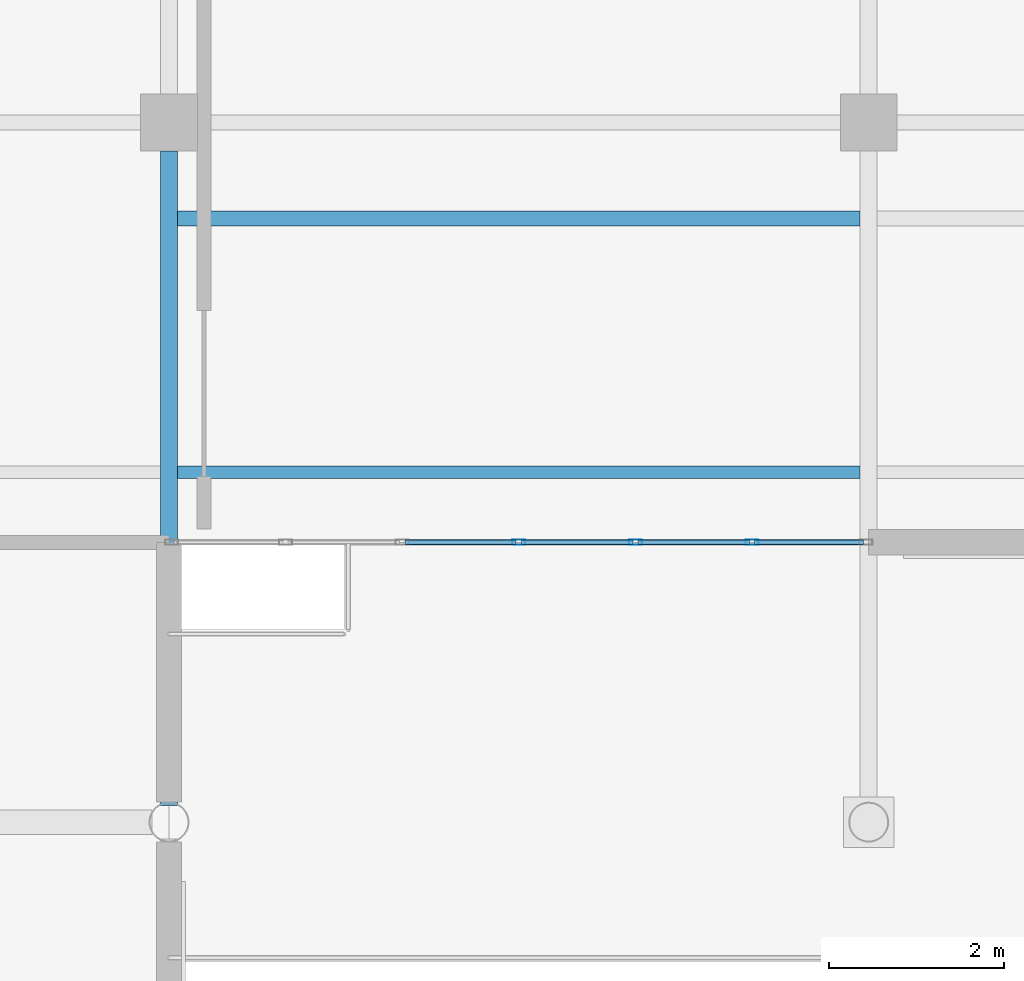
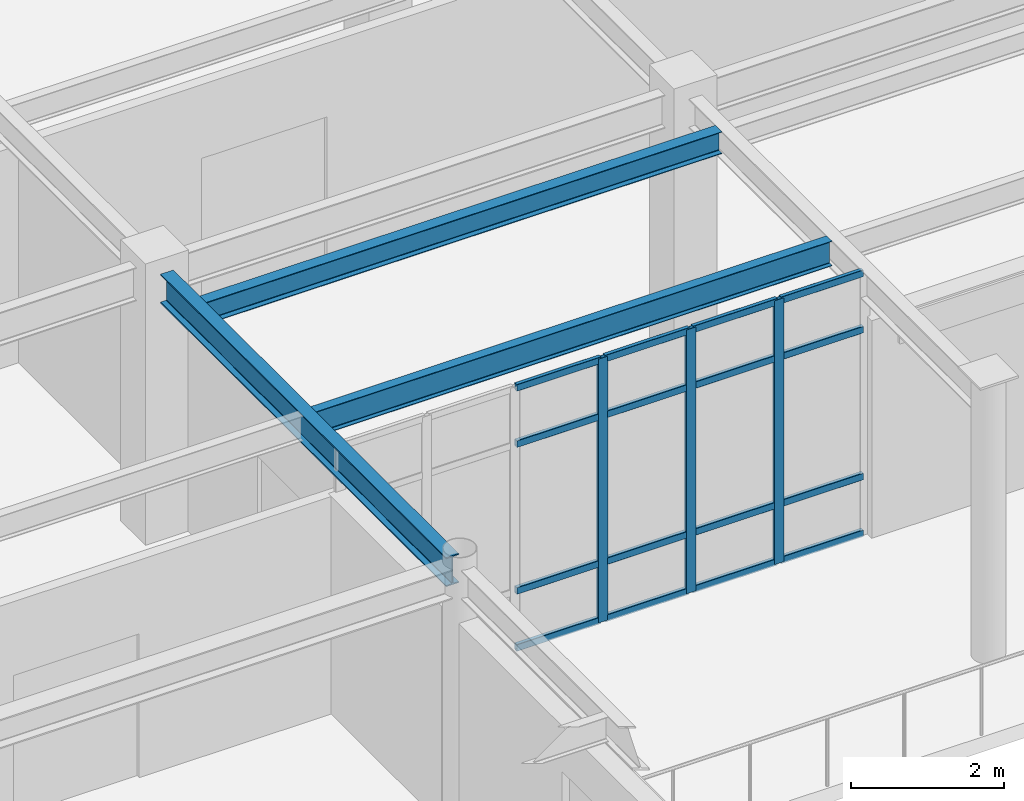
# One storey, part 43 of 75: 19 members, 3 beams, 1 element without a shape of its own.
"""IFC4 building model written with IfcOpenShell, lengths in metres."""

from ifc_helpers import new_model, si_unit, direction, frame, origin, origin_2d, place, context, subcontext, project, spatial, hollow_rectangle, i_section, extrude, material, material_profile, profile_set, type_object, element, aggregate, save


model = new_model("IFC4")

# Units and contexts
model_context = context("Model", 3, precision=1e-05, world=origin(), true_north=direction((0.0, 1.0)))
body_context = subcontext(model_context, "Body", "Model", "MODEL_VIEW")
ifc_project = project(units=[si_unit("LENGTHUNIT", "METRE"), si_unit("AREAUNIT", "SQUARE_METRE"), si_unit("VOLUMEUNIT", "CUBIC_METRE"), si_unit("PLANEANGLEUNIT", "RADIAN"), si_unit("MASSUNIT", "GRAM", prefix="KILO")], contexts=[model_context])

# Site, building, storey
site_placement = place(None, origin())
site = spatial("IfcSite", under=ifc_project, at=site_placement, CompositionType="ELEMENT")
building_placement = place(site_placement, origin())
building = spatial("IfcBuilding", under=site, at=building_placement, Name="Solmirada Galleria", CompositionType="ELEMENT")
storey_placement = place(building_placement, frame((0.0, 0.0, 19.39990234375)))
storey = spatial("IfcBuildingStorey", under=building, at=storey_placement, Name="L04", CompositionType="ELEMENT", Elevation=19.39990234375)

# Beams
ifc_material_1 = material(Name="Steel S355 / ASTM A992 Grade 50", Category="steel")
ifc_material_profile_1 = material_profile(ifc_material_1, i_section(OverallWidth=0.193115234375, OverallDepth=0.466064453125, WebThickness=0.011474609375, FlangeThickness=0.01904296875, FilletRadius=0.013916015625, at=origin_2d()), Name="W18X65")
ifc_profile_set_1 = profile_set([ifc_material_profile_1], Name="Steel S355 / ASTM A992 Grade 50")
beam_type_1 = type_object("IfcBeamType", Name="BM-GIRD-W18C", PredefinedType="BEAM", material=ifc_profile_set_1)
beam_1_placement = place(storey_placement, frame((96.0, 88.19189453125, 4.027099609375), z_axis=(0.0, 1.0, 0.0), x_axis=(-1.0, 0.0, 0.0)))
element("IfcBeam", 1, at=beam_1_placement, inside=storey, type_object=beam_type_1, Name="Primary girder L05 Y(96, 88..96)", PredefinedType="BEAM", context=body_context, shape_type="SweptSolid", body=[
    extrude(i_section(OverallWidth=0.193115234375, OverallDepth=0.466064453125, WebThickness=0.011474609375, FlangeThickness=0.01904296875, FilletRadius=0.013916015625, at=origin_2d()), origin(), (0.0, 0.0, 1.0), 7.483154296875),
])
ifc_material_profile_2 = material_profile(ifc_material_1, i_section(OverallWidth=0.1708984375, OverallDepth=0.35205078125, WebThickness=0.0068359375, FlangeThickness=0.009765625, FilletRadius=0.010986328125, at=origin_2d()), Name="W14X30")
ifc_profile_set_2 = profile_set([ifc_material_profile_2], Name="Steel S355 / ASTM A992 Grade 50")
beam_type_2 = type_object("IfcBeamType", Name="BM-JST-W14B", PredefinedType="JOIST", material=ifc_profile_set_2)
beam_2_placement = place(storey_placement, frame((96.096435546875, 94.89990234375, 4.083984375), z_axis=(1.0, 0.0, 0.0), x_axis=(0.0, 1.0, 0.0)))
element("IfcBeam", 2, at=beam_2_placement, inside=storey, type_object=beam_type_2, Name="Terrace deck joist L05-TERR-NE X=96..104 (2)", PredefinedType="JOIST", context=body_context, shape_type="SweptSolid", body=[
    extrude(i_section(OverallWidth=0.1708984375, OverallDepth=0.35205078125, WebThickness=0.0068359375, FlangeThickness=0.009765625, FilletRadius=0.010986328125, at=origin_2d()), origin(), (0.0, 0.0, 1.0), 7.80712890625),
])
ifc_material_profile_3 = material_profile(ifc_material_1, i_section(OverallWidth=0.139892578125, OverallDepth=0.39892578125, WebThickness=0.00634765625, FlangeThickness=0.0087890625, FilletRadius=0.010986328125, at=origin_2d()), Name="W16X26")
ifc_profile_set_3 = profile_set([ifc_material_profile_3], Name="Steel S355 / ASTM A992 Grade 50")
beam_type_3 = type_object("IfcBeamType", Name="BM-JST-W16C", PredefinedType="JOIST", material=ifc_profile_set_3)
beam_3_placement = place(storey_placement, frame((96.096435546875, 92.0, 4.060546875), z_axis=(1.0, 0.0, 0.0), x_axis=(0.0, 1.0, 0.0)))
element("IfcBeam", 3, at=beam_3_placement, inside=storey, type_object=beam_type_3, Name="Composite floor joist L05 (96..104, 92.0)", PredefinedType="JOIST", context=body_context, shape_type="SweptSolid", body=[
    extrude(i_section(OverallWidth=0.139892578125, OverallDepth=0.39892578125, WebThickness=0.00634765625, FlangeThickness=0.0087890625, FilletRadius=0.010986328125, at=origin_2d()), origin(), (0.0, 0.0, 1.0), 7.80712890625),
])

# Curtain wall, members
ifc_material_2 = material(Name="Impact-resistant low-E double glazing", Category="glass")
curtain_wall_type = type_object("IfcCurtainWallType", Name="CW-FZ4-L04-B6-L080", PredefinedType="NOTDEFINED", material=ifc_material_2)
curtain_wall_placement = place(storey_placement, origin())
curtain_wall = element("IfcCurtainWall", 4, at=curtain_wall_placement, inside=storey, type_object=curtain_wall_type, Name="Terrace and arcade storefront CW-L04-151", PredefinedType="NOTDEFINED")
ifc_material_3 = material(Name="Anodised aluminium framing", Category="aluminium")
ifc_material_profile_4 = material_profile(ifc_material_3, hollow_rectangle(XDim=0.06005859375, YDim=0.14990234375, WallThickness=0.00341796875, InnerFilletRadius=0.00341796875, OuterFilletRadius=0.007080078125, at=origin_2d()), Name="ALU-MULL-150X60")
ifc_profile_set_4 = profile_set([ifc_material_profile_4], Name="Anodised aluminium framing")
member_type_1 = type_object("IfcMemberType", Name="CW-MULL-150", PredefinedType="MULLION", material=ifc_profile_set_4)
member_1_placement = place(storey_placement, frame((102.666748046875, 91.199951171875, 0.0), z_axis=(0.0, 0.0, 1.0), x_axis=(0.0, -1.0, 0.0)))
member_1 = element("IfcMember", 5, at=member_1_placement, type_object=member_type_1, Name="CW31 mullion 2", PredefinedType="MULLION", context=body_context, shape_type="SweptSolid", body=[
    extrude(hollow_rectangle(XDim=0.06005859375, YDim=0.14990234375, WallThickness=0.00341796875, InnerFilletRadius=0.00341796875, OuterFilletRadius=0.007080078125, at=origin_2d()), origin(), (0.0, 0.0, 1.0), 4.22021484375),
])
member_2_placement = place(storey_placement, frame((101.333251953125, 91.199951171875, 0.0), z_axis=(0.0, 0.0, 1.0), x_axis=(0.0, -1.0, 0.0)))
member_2 = element("IfcMember", 6, at=member_2_placement, type_object=member_type_1, Name="CW31 mullion 3", PredefinedType="MULLION", context=body_context, shape_type="SweptSolid", body=[
    extrude(hollow_rectangle(XDim=0.06005859375, YDim=0.14990234375, WallThickness=0.00341796875, InnerFilletRadius=0.00341796875, OuterFilletRadius=0.007080078125, at=origin_2d()), origin(), (0.0, 0.0, 1.0), 4.22021484375),
])
member_3_placement = place(storey_placement, frame((100.0, 91.199951171875, 0.0), z_axis=(0.0, 0.0, 1.0), x_axis=(0.0, -1.0, 0.0)))
member_3 = element("IfcMember", 7, at=member_3_placement, type_object=member_type_1, Name="CW31 mullion 4", PredefinedType="MULLION", context=body_context, shape_type="SweptSolid", body=[
    extrude(hollow_rectangle(XDim=0.06005859375, YDim=0.14990234375, WallThickness=0.00341796875, InnerFilletRadius=0.00341796875, OuterFilletRadius=0.007080078125, at=origin_2d()), origin(), (0.0, 0.0, 1.0), 4.22021484375),
])
ifc_material_profile_5 = material_profile(ifc_material_3, hollow_rectangle(XDim=0.06005859375, YDim=0.110107421875, WallThickness=0.003173828125, InnerFilletRadius=0.003173828125, OuterFilletRadius=0.00634765625, at=origin_2d()), Name="ALU-TRAN-110X60")
ifc_profile_set_5 = profile_set([ifc_material_profile_5], Name="Anodised aluminium framing")
member_type_2 = type_object("IfcMemberType", Name="CW-TRAN-110", PredefinedType="USERDEFINED", material=ifc_profile_set_5)
member_4_placement = place(storey_placement, frame((103.93994140625, 91.199951171875, 0.030029296875), z_axis=(-1.0, 0.0, 0.0), x_axis=(0.0, -1.0, 0.0)))
member_4 = element("IfcMember", 8, at=member_4_placement, type_object=member_type_2, Name="CW31 transom 1.1", ObjectType="TRANSOM", PredefinedType="USERDEFINED", context=body_context, shape_type="SweptSolid", body=[
    extrude(hollow_rectangle(XDim=0.06005859375, YDim=0.110107421875, WallThickness=0.003173828125, InnerFilletRadius=0.003173828125, OuterFilletRadius=0.00634765625, at=origin_2d()), origin(), (0.0, 0.0, 1.0), 1.2431640625),
])
member_5_placement = place(storey_placement, frame((103.93994140625, 91.199951171875, 0.940185546875), z_axis=(-1.0, 0.0, 0.0), x_axis=(0.0, -1.0, 0.0)))
member_5 = element("IfcMember", 9, at=member_5_placement, type_object=member_type_2, Name="CW31 transom 1.2", ObjectType="TRANSOM", PredefinedType="USERDEFINED", context=body_context, shape_type="SweptSolid", body=[
    extrude(hollow_rectangle(XDim=0.06005859375, YDim=0.110107421875, WallThickness=0.003173828125, InnerFilletRadius=0.003173828125, OuterFilletRadius=0.00634765625, at=origin_2d()), origin(), (0.0, 0.0, 1.0), 1.2431640625),
])
member_6_placement = place(storey_placement, frame((103.93994140625, 91.199951171875, 3.2900390625), z_axis=(-1.0, 0.0, 0.0), x_axis=(0.0, -1.0, 0.0)))
member_6 = element("IfcMember", 10, at=member_6_placement, type_object=member_type_2, Name="CW31 transom 1.3", ObjectType="TRANSOM", PredefinedType="USERDEFINED", context=body_context, shape_type="SweptSolid", body=[
    extrude(hollow_rectangle(XDim=0.06005859375, YDim=0.110107421875, WallThickness=0.003173828125, InnerFilletRadius=0.003173828125, OuterFilletRadius=0.00634765625, at=origin_2d()), origin(), (0.0, 0.0, 1.0), 1.2431640625),
])
member_7_placement = place(storey_placement, frame((103.93994140625, 91.199951171875, 4.190185546875), z_axis=(-1.0, 0.0, 0.0), x_axis=(0.0, -1.0, 0.0)))
member_7 = element("IfcMember", 11, at=member_7_placement, type_object=member_type_2, Name="CW31 transom 1.4", ObjectType="TRANSOM", PredefinedType="USERDEFINED", context=body_context, shape_type="SweptSolid", body=[
    extrude(hollow_rectangle(XDim=0.06005859375, YDim=0.110107421875, WallThickness=0.003173828125, InnerFilletRadius=0.003173828125, OuterFilletRadius=0.00634765625, at=origin_2d()), origin(), (0.0, 0.0, 1.0), 1.2431640625),
])
member_8_placement = place(storey_placement, frame((102.63671875, 91.199951171875, 0.030029296875), z_axis=(-1.0, 0.0, 0.0), x_axis=(0.0, -1.0, 0.0)))
member_8 = element("IfcMember", 12, at=member_8_placement, type_object=member_type_2, Name="CW31 transom 2.1", ObjectType="TRANSOM", PredefinedType="USERDEFINED", context=body_context, shape_type="SweptSolid", body=[
    extrude(hollow_rectangle(XDim=0.06005859375, YDim=0.110107421875, WallThickness=0.003173828125, InnerFilletRadius=0.003173828125, OuterFilletRadius=0.00634765625, at=origin_2d()), origin(), (0.0, 0.0, 1.0), 1.2734375),
])
member_9_placement = place(storey_placement, frame((102.63671875, 91.199951171875, 0.940185546875), z_axis=(-1.0, 0.0, 0.0), x_axis=(0.0, -1.0, 0.0)))
member_9 = element("IfcMember", 13, at=member_9_placement, type_object=member_type_2, Name="CW31 transom 2.2", ObjectType="TRANSOM", PredefinedType="USERDEFINED", context=body_context, shape_type="SweptSolid", body=[
    extrude(hollow_rectangle(XDim=0.06005859375, YDim=0.110107421875, WallThickness=0.003173828125, InnerFilletRadius=0.003173828125, OuterFilletRadius=0.00634765625, at=origin_2d()), origin(), (0.0, 0.0, 1.0), 1.2734375),
])
member_10_placement = place(storey_placement, frame((102.63671875, 91.199951171875, 3.2900390625), z_axis=(-1.0, 0.0, 0.0), x_axis=(0.0, -1.0, 0.0)))
member_10 = element("IfcMember", 14, at=member_10_placement, type_object=member_type_2, Name="CW31 transom 2.3", ObjectType="TRANSOM", PredefinedType="USERDEFINED", context=body_context, shape_type="SweptSolid", body=[
    extrude(hollow_rectangle(XDim=0.06005859375, YDim=0.110107421875, WallThickness=0.003173828125, InnerFilletRadius=0.003173828125, OuterFilletRadius=0.00634765625, at=origin_2d()), origin(), (0.0, 0.0, 1.0), 1.2734375),
])
member_11_placement = place(storey_placement, frame((102.63671875, 91.199951171875, 4.190185546875), z_axis=(-1.0, 0.0, 0.0), x_axis=(0.0, -1.0, 0.0)))
member_11 = element("IfcMember", 15, at=member_11_placement, type_object=member_type_2, Name="CW31 transom 2.4", ObjectType="TRANSOM", PredefinedType="USERDEFINED", context=body_context, shape_type="SweptSolid", body=[
    extrude(hollow_rectangle(XDim=0.06005859375, YDim=0.110107421875, WallThickness=0.003173828125, InnerFilletRadius=0.003173828125, OuterFilletRadius=0.00634765625, at=origin_2d()), origin(), (0.0, 0.0, 1.0), 1.2734375),
])
member_12_placement = place(storey_placement, frame((101.30322265625, 91.199951171875, 0.030029296875), z_axis=(-1.0, 0.0, 0.0), x_axis=(0.0, -1.0, 0.0)))
member_12 = element("IfcMember", 16, at=member_12_placement, type_object=member_type_2, Name="CW31 transom 3.1", ObjectType="TRANSOM", PredefinedType="USERDEFINED", context=body_context, shape_type="SweptSolid", body=[
    extrude(hollow_rectangle(XDim=0.06005859375, YDim=0.110107421875, WallThickness=0.003173828125, InnerFilletRadius=0.003173828125, OuterFilletRadius=0.00634765625, at=origin_2d()), origin(), (0.0, 0.0, 1.0), 1.273193359375),
])
member_13_placement = place(storey_placement, frame((101.30322265625, 91.199951171875, 0.940185546875), z_axis=(-1.0, 0.0, 0.0), x_axis=(0.0, -1.0, 0.0)))
member_13 = element("IfcMember", 17, at=member_13_placement, type_object=member_type_2, Name="CW31 transom 3.2", ObjectType="TRANSOM", PredefinedType="USERDEFINED", context=body_context, shape_type="SweptSolid", body=[
    extrude(hollow_rectangle(XDim=0.06005859375, YDim=0.110107421875, WallThickness=0.003173828125, InnerFilletRadius=0.003173828125, OuterFilletRadius=0.00634765625, at=origin_2d()), origin(), (0.0, 0.0, 1.0), 1.273193359375),
])
member_14_placement = place(storey_placement, frame((101.30322265625, 91.199951171875, 3.2900390625), z_axis=(-1.0, 0.0, 0.0), x_axis=(0.0, -1.0, 0.0)))
member_14 = element("IfcMember", 18, at=member_14_placement, type_object=member_type_2, Name="CW31 transom 3.3", ObjectType="TRANSOM", PredefinedType="USERDEFINED", context=body_context, shape_type="SweptSolid", body=[
    extrude(hollow_rectangle(XDim=0.06005859375, YDim=0.110107421875, WallThickness=0.003173828125, InnerFilletRadius=0.003173828125, OuterFilletRadius=0.00634765625, at=origin_2d()), origin(), (0.0, 0.0, 1.0), 1.273193359375),
])
member_15_placement = place(storey_placement, frame((101.30322265625, 91.199951171875, 4.190185546875), z_axis=(-1.0, 0.0, 0.0), x_axis=(0.0, -1.0, 0.0)))
member_15 = element("IfcMember", 19, at=member_15_placement, type_object=member_type_2, Name="CW31 transom 3.4", ObjectType="TRANSOM", PredefinedType="USERDEFINED", context=body_context, shape_type="SweptSolid", body=[
    extrude(hollow_rectangle(XDim=0.06005859375, YDim=0.110107421875, WallThickness=0.003173828125, InnerFilletRadius=0.003173828125, OuterFilletRadius=0.00634765625, at=origin_2d()), origin(), (0.0, 0.0, 1.0), 1.273193359375),
])
member_16_placement = place(storey_placement, frame((99.969970703125, 91.199951171875, 0.030029296875), z_axis=(-1.0, 0.0, 0.0), x_axis=(0.0, -1.0, 0.0)))
member_16 = element("IfcMember", 20, at=member_16_placement, type_object=member_type_2, Name="CW31 transom 4.1", ObjectType="TRANSOM", PredefinedType="USERDEFINED", context=body_context, shape_type="SweptSolid", body=[
    extrude(hollow_rectangle(XDim=0.06005859375, YDim=0.110107421875, WallThickness=0.003173828125, InnerFilletRadius=0.003173828125, OuterFilletRadius=0.00634765625, at=origin_2d()), origin(), (0.0, 0.0, 1.0), 1.273193359375),
])
member_17_placement = place(storey_placement, frame((99.969970703125, 91.199951171875, 0.940185546875), z_axis=(-1.0, 0.0, 0.0), x_axis=(0.0, -1.0, 0.0)))
member_17 = element("IfcMember", 21, at=member_17_placement, type_object=member_type_2, Name="CW31 transom 4.2", ObjectType="TRANSOM", PredefinedType="USERDEFINED", context=body_context, shape_type="SweptSolid", body=[
    extrude(hollow_rectangle(XDim=0.06005859375, YDim=0.110107421875, WallThickness=0.003173828125, InnerFilletRadius=0.003173828125, OuterFilletRadius=0.00634765625, at=origin_2d()), origin(), (0.0, 0.0, 1.0), 1.273193359375),
])
member_18_placement = place(storey_placement, frame((99.969970703125, 91.199951171875, 3.2900390625), z_axis=(-1.0, 0.0, 0.0), x_axis=(0.0, -1.0, 0.0)))
member_18 = element("IfcMember", 22, at=member_18_placement, type_object=member_type_2, Name="CW31 transom 4.3", ObjectType="TRANSOM", PredefinedType="USERDEFINED", context=body_context, shape_type="SweptSolid", body=[
    extrude(hollow_rectangle(XDim=0.06005859375, YDim=0.110107421875, WallThickness=0.003173828125, InnerFilletRadius=0.003173828125, OuterFilletRadius=0.00634765625, at=origin_2d()), origin(), (0.0, 0.0, 1.0), 1.273193359375),
])
member_19_placement = place(storey_placement, frame((99.969970703125, 91.199951171875, 4.190185546875), z_axis=(-1.0, 0.0, 0.0), x_axis=(0.0, -1.0, 0.0)))
member_19 = element("IfcMember", 23, at=member_19_placement, type_object=member_type_2, Name="CW31 transom 4.4", ObjectType="TRANSOM", PredefinedType="USERDEFINED", context=body_context, shape_type="SweptSolid", body=[
    extrude(hollow_rectangle(XDim=0.06005859375, YDim=0.110107421875, WallThickness=0.003173828125, InnerFilletRadius=0.003173828125, OuterFilletRadius=0.00634765625, at=origin_2d()), origin(), (0.0, 0.0, 1.0), 1.273193359375),
])
aggregate(curtain_wall, [member_1, member_2, member_3, member_4, member_5, member_6, member_7, member_8, member_9, member_10, member_11, member_12, member_13, member_14, member_15, member_16, member_17, member_18, member_19])

save(model, "model.ifc")
